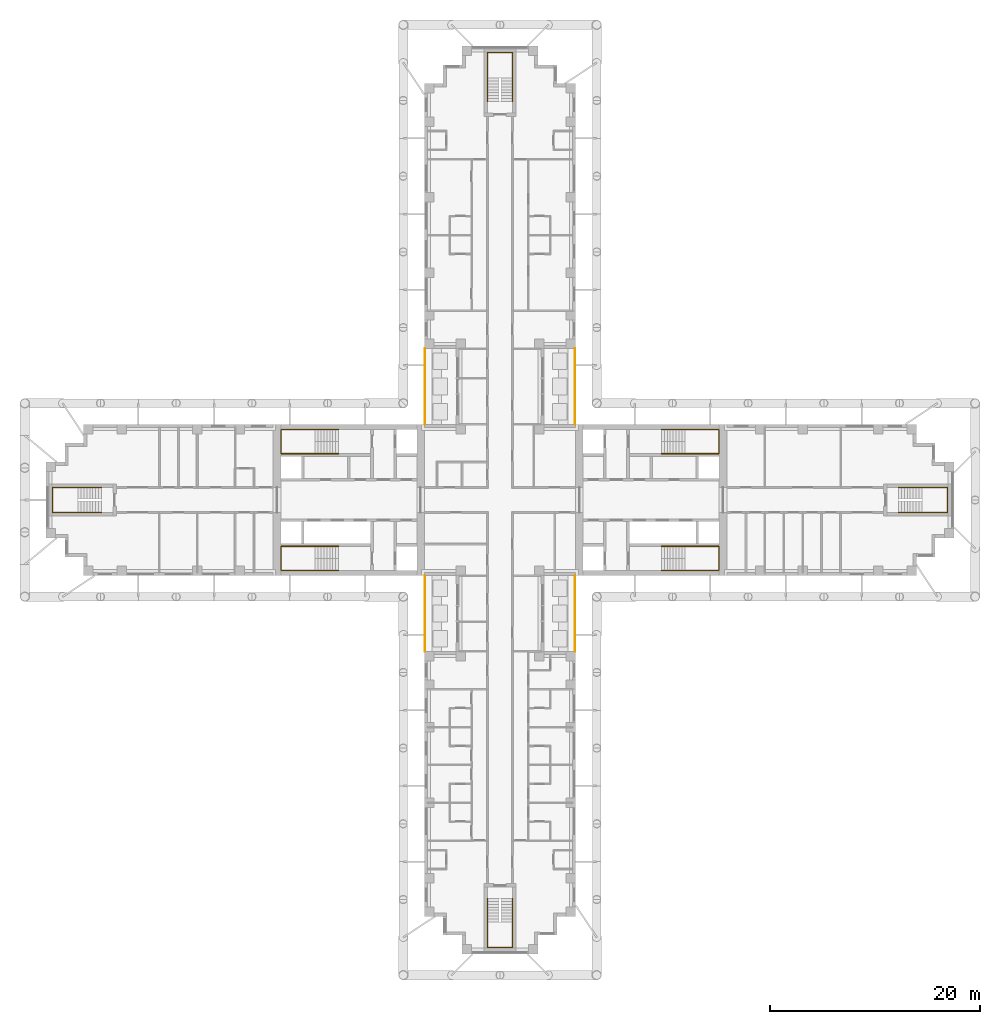
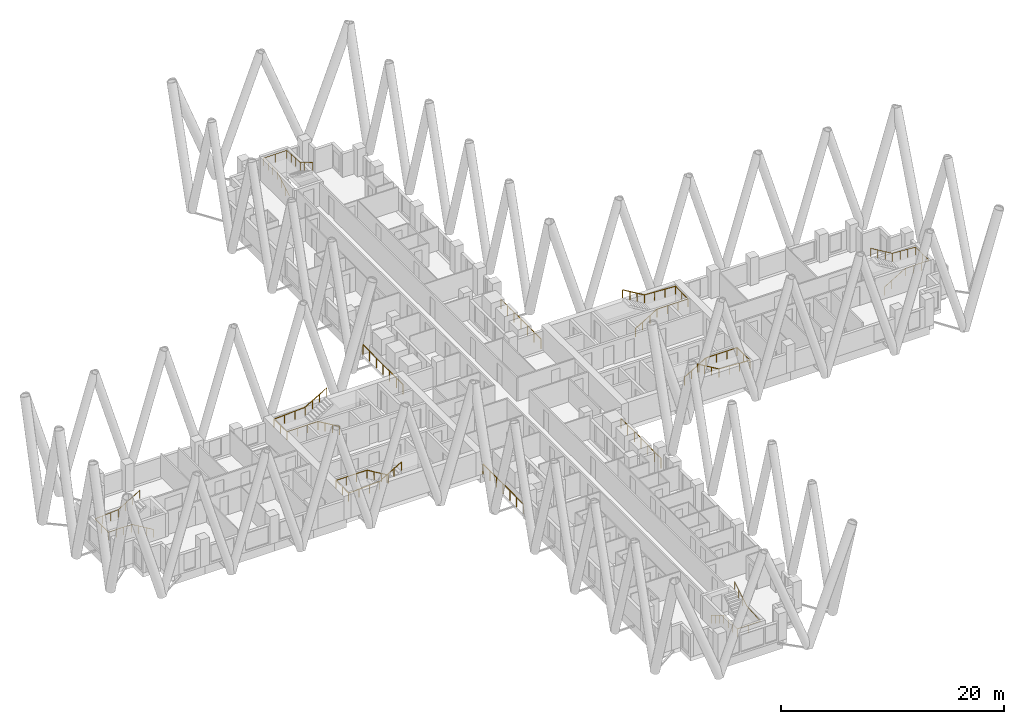
# One storey, part 15 of 16: 12 railings.
"""IFC4 building model written with IfcOpenShell, lengths in metres."""

from ifc_helpers import new_model, si_unit, direction, frame, origin, origin_2d, place, context, subcontext, project, spatial, circle, extrude, material, type_object, element, save


model = new_model("IFC4")

# Units and contexts
model_context = context("Model", 3, precision=1e-05, world=origin(), true_north=direction((0.0, 1.0)))
body_context = subcontext(model_context, "Body", "Model", "MODEL_VIEW")
ifc_project = project(units=[si_unit("LENGTHUNIT", "METRE"), si_unit("AREAUNIT", "SQUARE_METRE"), si_unit("VOLUMEUNIT", "CUBIC_METRE"), si_unit("PLANEANGLEUNIT", "RADIAN"), si_unit("MASSUNIT", "GRAM", prefix="KILO")], contexts=[model_context])

# Site, building, storey
site_placement = place(None, origin())
site = spatial("IfcSite", under=ifc_project, at=site_placement, CompositionType="ELEMENT")
building_placement = place(site_placement, origin())
building = spatial("IfcBuilding", under=site, at=building_placement, Name="Fustian Cross Tower", CompositionType="ELEMENT")
storey_placement = place(building_placement, frame((0.0, 0.0, 20.699951171875)))
storey = spatial("IfcBuildingStorey", under=building, at=storey_placement, Name="L05", CompositionType="ELEMENT", Elevation=20.699951171875)

# Railings
ifc_material_1 = material(Name="Stainless steel and glass", Category="steel")
railing_type_1 = type_object("IfcRailingType", Name="GR1 BALCONY GUARD 1100", PredefinedType="GUARDRAIL", material=ifc_material_1)
for number, where, name in (
    (1, (7.14990234375, 7.199951171875, 0.0), "Balcony guard"),
    (2, (-7.14990234375, 7.199951171875, 0.0), "Balcony guard"),
    (3, (7.14990234375, -14.39990234375, 0.0), "Balcony guard"),
    (4, (-7.14990234375, -14.39990234375, 0.0), "Balcony guard"),
):
    element("IfcRailing", number, at=place(storey_placement, frame(where)), inside=storey, type_object=railing_type_1, Name=name, PredefinedType="GUARDRAIL", context=body_context, shape_type="SweptSolid", body=[
        extrude(circle(Radius=0.02392578125, at=origin_2d()), frame((0.0, 0.0, 1.076171875), z_axis=(0.0, 1.0, 0.0), x_axis=(-1.0, 0.0, 0.0)), (0.0, 0.0, 1.0), 7.199951171875),
        extrude(circle(Radius=0.02099609375, at=origin_2d()), origin(), (0.0, 0.0, 1.0), 1.052001953125),
        extrude(circle(Radius=0.02099609375, at=origin_2d()), frame((0.0, 1.199951171875, 0.0)), (0.0, 0.0, 1.0), 1.052001953125),
        extrude(circle(Radius=0.02099609375, at=origin_2d()), frame((0.0, 2.39990234375, 0.0)), (0.0, 0.0, 1.0), 1.052001953125),
        extrude(circle(Radius=0.02099609375, at=origin_2d()), frame((0.0, 3.60009765625, 0.0)), (0.0, 0.0, 1.0), 1.052001953125),
        extrude(circle(Radius=0.02099609375, at=origin_2d()), frame((0.0, 4.800048828125, 0.0)), (0.0, 0.0, 1.0), 1.052001953125),
        extrude(circle(Radius=0.02099609375, at=origin_2d()), frame((0.0, 6.0, 0.0)), (0.0, 0.0, 1.0), 1.052001953125),
        extrude(circle(Radius=0.02099609375, at=origin_2d()), frame((0.0, 7.199951171875, 0.0)), (0.0, 0.0, 1.0), 1.052001953125),
    ])
ifc_material_2 = material(Name="Stainless steel", Category="steel")
railing_type_2 = type_object("IfcRailingType", Name="STAIR HANDRAIL", PredefinedType="HANDRAIL", material=ifc_material_2)
railing_1_placement = place(storey_placement, frame((15.35009765625, 4.39990234375, 0.166748046875)))
element("IfcRailing", 5, at=railing_1_placement, inside=storey, type_object=railing_type_2, Name="Stair ST1 handrail 1", PredefinedType="HANDRAIL", context=body_context, shape_type="SweptSolid", body=[
    extrude(circle(Radius=0.02490234375, at=origin_2d()), frame((0.0, 0.0, 0.875), z_axis=(0.859305625298, 0.0, 0.511462454469), x_axis=(0.0, 1.0, 0.0)), (0.0, 0.0, 1.0), 2.606689453125),
    extrude(circle(Radius=0.02490234375, at=origin_2d()), frame((2.239990234375, 0.0, 2.2080078125), z_axis=(1.0, 0.0, 0.0), x_axis=(0.0, 1.0, 0.0)), (0.0, 0.0, 1.0), 3.219970703125),
    extrude(circle(Radius=0.02490234375, at=origin_2d()), frame((5.4599609375, 0.0, 2.2080078125), z_axis=(0.0, 1.0, 0.0), x_axis=(-1.0, 0.0, 0.0)), (0.0, 0.0, 1.0), 2.300048828125),
    extrude(circle(Radius=0.02490234375, at=origin_2d()), frame((5.4599609375, 2.300048828125, 2.2080078125), z_axis=(-0.998661817807, 0.0, 0.051716280352), x_axis=(0.0, -1.0, 0.0)), (0.0, 0.0, 1.0), 3.224365234375),
    extrude(circle(Radius=0.02490234375, at=origin_2d()), frame((2.239990234375, 2.300048828125, 2.375), z_axis=(-0.859305625298, 0.0, 0.511462454469), x_axis=(0.0, -1.0, 0.0)), (0.0, 0.0, 1.0), 2.606689453125),
    extrude(circle(Radius=0.02001953125, at=origin_2d()), origin(), (0.0, 0.0, 1.0), 0.849853515625),
    extrude(circle(Radius=0.02001953125, at=origin_2d()), frame((0.74658203125, 0.0, 0.4443359375)), (0.0, 0.0, 1.0), 0.849853515625),
    extrude(circle(Radius=0.02001953125, at=origin_2d()), frame((1.493408203125, 0.0, 0.888916015625)), (0.0, 0.0, 1.0), 0.849853515625),
    extrude(circle(Radius=0.02001953125, at=origin_2d()), frame((2.239990234375, 0.0, 1.333251953125)), (0.0, 0.0, 1.0), 0.849853515625),
    extrude(circle(Radius=0.02001953125, at=origin_2d()), frame((3.313232421875, 0.0, 1.333251953125)), (0.0, 0.0, 1.0), 0.849853515625),
    extrude(circle(Radius=0.02001953125, at=origin_2d()), frame((4.38671875, 0.0, 1.333251953125)), (0.0, 0.0, 1.0), 0.849853515625),
    extrude(circle(Radius=0.02001953125, at=origin_2d()), frame((5.4599609375, 0.0, 1.333251953125)), (0.0, 0.0, 1.0), 0.849853515625),
    extrude(circle(Radius=0.02001953125, at=origin_2d()), frame((5.4599609375, 1.14990234375, 1.333251953125)), (0.0, 0.0, 1.0), 0.849853515625),
    extrude(circle(Radius=0.02001953125, at=origin_2d()), frame((5.4599609375, 2.300048828125, 1.333251953125)), (0.0, 0.0, 1.0), 0.849853515625),
    extrude(circle(Radius=0.02001953125, at=origin_2d()), frame((4.38671875, 2.300048828125, 1.388916015625)), (0.0, 0.0, 1.0), 0.849853515625),
    extrude(circle(Radius=0.02001953125, at=origin_2d()), frame((3.313232421875, 2.300048828125, 1.4443359375)), (0.0, 0.0, 1.0), 0.849853515625),
    extrude(circle(Radius=0.02001953125, at=origin_2d()), frame((2.239990234375, 2.300048828125, 1.5)), (0.0, 0.0, 1.0), 0.849853515625),
    extrude(circle(Radius=0.02001953125, at=origin_2d()), frame((1.493408203125, 2.300048828125, 1.9443359375)), (0.0, 0.0, 1.0), 0.849853515625),
    extrude(circle(Radius=0.02001953125, at=origin_2d()), frame((0.74658203125, 2.300048828125, 2.388916015625)), (0.0, 0.0, 1.0), 0.849853515625),
    extrude(circle(Radius=0.02001953125, at=origin_2d()), frame((0.0, 2.300048828125, 2.833251953125)), (0.0, 0.0, 1.0), 0.849853515625),
])
railing_2_placement = place(storey_placement, frame((15.35009765625, -4.39990234375, 0.166748046875)))
element("IfcRailing", 6, at=railing_2_placement, inside=storey, type_object=railing_type_2, Name="Stair ST2 handrail 1", PredefinedType="HANDRAIL", context=body_context, shape_type="SweptSolid", body=[
    extrude(circle(Radius=0.02490234375, at=origin_2d()), frame((0.0, 0.0, 0.875), z_axis=(0.859305625298, 0.0, 0.511462454469), x_axis=(0.0, 1.0, 0.0)), (0.0, 0.0, 1.0), 2.606689453125),
    extrude(circle(Radius=0.02490234375, at=origin_2d()), frame((2.239990234375, 0.0, 2.2080078125), z_axis=(1.0, 0.0, 0.0), x_axis=(0.0, 1.0, 0.0)), (0.0, 0.0, 1.0), 3.219970703125),
    extrude(circle(Radius=0.02490234375, at=origin_2d()), frame((5.4599609375, 0.0, 2.2080078125), z_axis=(0.0, -1.0, 0.0), x_axis=(1.0, 0.0, 0.0)), (0.0, 0.0, 1.0), 2.300048828125),
    extrude(circle(Radius=0.02490234375, at=origin_2d()), frame((5.4599609375, -2.300048828125, 2.2080078125), z_axis=(-0.998661817807, 0.0, 0.051716280352), x_axis=(0.0, -1.0, 0.0)), (0.0, 0.0, 1.0), 3.224365234375),
    extrude(circle(Radius=0.02490234375, at=origin_2d()), frame((2.239990234375, -2.300048828125, 2.375), z_axis=(-0.859305625298, 0.0, 0.511462454469), x_axis=(0.0, -1.0, 0.0)), (0.0, 0.0, 1.0), 2.606689453125),
    extrude(circle(Radius=0.02001953125, at=origin_2d()), origin(), (0.0, 0.0, 1.0), 0.849853515625),
    extrude(circle(Radius=0.02001953125, at=origin_2d()), frame((0.74658203125, 0.0, 0.4443359375)), (0.0, 0.0, 1.0), 0.849853515625),
    extrude(circle(Radius=0.02001953125, at=origin_2d()), frame((1.493408203125, 0.0, 0.888916015625)), (0.0, 0.0, 1.0), 0.849853515625),
    extrude(circle(Radius=0.02001953125, at=origin_2d()), frame((2.239990234375, 0.0, 1.333251953125)), (0.0, 0.0, 1.0), 0.849853515625),
    extrude(circle(Radius=0.02001953125, at=origin_2d()), frame((3.313232421875, 0.0, 1.333251953125)), (0.0, 0.0, 1.0), 0.849853515625),
    extrude(circle(Radius=0.02001953125, at=origin_2d()), frame((4.38671875, 0.0, 1.333251953125)), (0.0, 0.0, 1.0), 0.849853515625),
    extrude(circle(Radius=0.02001953125, at=origin_2d()), frame((5.4599609375, 0.0, 1.333251953125)), (0.0, 0.0, 1.0), 0.849853515625),
    extrude(circle(Radius=0.02001953125, at=origin_2d()), frame((5.4599609375, -1.14990234375, 1.333251953125)), (0.0, 0.0, 1.0), 0.849853515625),
    extrude(circle(Radius=0.02001953125, at=origin_2d()), frame((5.4599609375, -2.300048828125, 1.333251953125)), (0.0, 0.0, 1.0), 0.849853515625),
    extrude(circle(Radius=0.02001953125, at=origin_2d()), frame((4.38671875, -2.300048828125, 1.388916015625)), (0.0, 0.0, 1.0), 0.849853515625),
    extrude(circle(Radius=0.02001953125, at=origin_2d()), frame((3.313232421875, -2.300048828125, 1.4443359375)), (0.0, 0.0, 1.0), 0.849853515625),
    extrude(circle(Radius=0.02001953125, at=origin_2d()), frame((2.239990234375, -2.300048828125, 1.5)), (0.0, 0.0, 1.0), 0.849853515625),
    extrude(circle(Radius=0.02001953125, at=origin_2d()), frame((1.493408203125, -2.300048828125, 1.9443359375)), (0.0, 0.0, 1.0), 0.849853515625),
    extrude(circle(Radius=0.02001953125, at=origin_2d()), frame((0.74658203125, -2.300048828125, 2.388916015625)), (0.0, 0.0, 1.0), 0.849853515625),
    extrude(circle(Radius=0.02001953125, at=origin_2d()), frame((0.0, -2.300048828125, 2.833251953125)), (0.0, 0.0, 1.0), 0.849853515625),
])
railing_3_placement = place(storey_placement, frame((-15.35009765625, 4.39990234375, 0.166748046875)))
element("IfcRailing", 7, at=railing_3_placement, inside=storey, type_object=railing_type_2, Name="Stair ST3 handrail 1", PredefinedType="HANDRAIL", context=body_context, shape_type="SweptSolid", body=[
    extrude(circle(Radius=0.02490234375, at=origin_2d()), frame((0.0, 0.0, 0.875), z_axis=(-0.859305625298, 0.0, 0.511462454469), x_axis=(0.0, -1.0, 0.0)), (0.0, 0.0, 1.0), 2.606689453125),
    extrude(circle(Radius=0.02490234375, at=origin_2d()), frame((-2.239990234375, 0.0, 2.2080078125), z_axis=(-1.0, 0.0, 0.0), x_axis=(0.0, -1.0, 0.0)), (0.0, 0.0, 1.0), 3.219970703125),
    extrude(circle(Radius=0.02490234375, at=origin_2d()), frame((-5.4599609375, 0.0, 2.2080078125), z_axis=(0.0, 1.0, 0.0), x_axis=(-1.0, 0.0, 0.0)), (0.0, 0.0, 1.0), 2.300048828125),
    extrude(circle(Radius=0.02490234375, at=origin_2d()), frame((-5.4599609375, 2.300048828125, 2.2080078125), z_axis=(0.998661817807, 0.0, 0.051716280352), x_axis=(0.0, 1.0, 0.0)), (0.0, 0.0, 1.0), 3.224365234375),
    extrude(circle(Radius=0.02490234375, at=origin_2d()), frame((-2.239990234375, 2.300048828125, 2.375), z_axis=(0.859305625298, 0.0, 0.511462454469), x_axis=(0.0, 1.0, 0.0)), (0.0, 0.0, 1.0), 2.606689453125),
    extrude(circle(Radius=0.02001953125, at=origin_2d()), origin(), (0.0, 0.0, 1.0), 0.849853515625),
    extrude(circle(Radius=0.02001953125, at=origin_2d()), frame((-0.74658203125, 0.0, 0.4443359375)), (0.0, 0.0, 1.0), 0.849853515625),
    extrude(circle(Radius=0.02001953125, at=origin_2d()), frame((-1.493408203125, 0.0, 0.888916015625)), (0.0, 0.0, 1.0), 0.849853515625),
    extrude(circle(Radius=0.02001953125, at=origin_2d()), frame((-2.239990234375, 0.0, 1.333251953125)), (0.0, 0.0, 1.0), 0.849853515625),
    extrude(circle(Radius=0.02001953125, at=origin_2d()), frame((-3.313232421875, 0.0, 1.333251953125)), (0.0, 0.0, 1.0), 0.849853515625),
    extrude(circle(Radius=0.02001953125, at=origin_2d()), frame((-4.38671875, 0.0, 1.333251953125)), (0.0, 0.0, 1.0), 0.849853515625),
    extrude(circle(Radius=0.02001953125, at=origin_2d()), frame((-5.4599609375, 0.0, 1.333251953125)), (0.0, 0.0, 1.0), 0.849853515625),
    extrude(circle(Radius=0.02001953125, at=origin_2d()), frame((-5.4599609375, 1.14990234375, 1.333251953125)), (0.0, 0.0, 1.0), 0.849853515625),
    extrude(circle(Radius=0.02001953125, at=origin_2d()), frame((-5.4599609375, 2.300048828125, 1.333251953125)), (0.0, 0.0, 1.0), 0.849853515625),
    extrude(circle(Radius=0.02001953125, at=origin_2d()), frame((-4.38671875, 2.300048828125, 1.388916015625)), (0.0, 0.0, 1.0), 0.849853515625),
    extrude(circle(Radius=0.02001953125, at=origin_2d()), frame((-3.313232421875, 2.300048828125, 1.4443359375)), (0.0, 0.0, 1.0), 0.849853515625),
    extrude(circle(Radius=0.02001953125, at=origin_2d()), frame((-2.239990234375, 2.300048828125, 1.5)), (0.0, 0.0, 1.0), 0.849853515625),
    extrude(circle(Radius=0.02001953125, at=origin_2d()), frame((-1.493408203125, 2.300048828125, 1.9443359375)), (0.0, 0.0, 1.0), 0.849853515625),
    extrude(circle(Radius=0.02001953125, at=origin_2d()), frame((-0.74658203125, 2.300048828125, 2.388916015625)), (0.0, 0.0, 1.0), 0.849853515625),
    extrude(circle(Radius=0.02001953125, at=origin_2d()), frame((0.0, 2.300048828125, 2.833251953125)), (0.0, 0.0, 1.0), 0.849853515625),
])
railing_4_placement = place(storey_placement, frame((-15.35009765625, -4.39990234375, 0.166748046875)))
element("IfcRailing", 8, at=railing_4_placement, inside=storey, type_object=railing_type_2, Name="Stair ST4 handrail 1", PredefinedType="HANDRAIL", context=body_context, shape_type="SweptSolid", body=[
    extrude(circle(Radius=0.02490234375, at=origin_2d()), frame((0.0, 0.0, 0.875), z_axis=(-0.859305625298, 0.0, 0.511462454469), x_axis=(0.0, -1.0, 0.0)), (0.0, 0.0, 1.0), 2.606689453125),
    extrude(circle(Radius=0.02490234375, at=origin_2d()), frame((-2.239990234375, 0.0, 2.2080078125), z_axis=(-1.0, 0.0, 0.0), x_axis=(0.0, -1.0, 0.0)), (0.0, 0.0, 1.0), 3.219970703125),
    extrude(circle(Radius=0.02490234375, at=origin_2d()), frame((-5.4599609375, 0.0, 2.2080078125), z_axis=(0.0, -1.0, 0.0), x_axis=(1.0, 0.0, 0.0)), (0.0, 0.0, 1.0), 2.300048828125),
    extrude(circle(Radius=0.02490234375, at=origin_2d()), frame((-5.4599609375, -2.300048828125, 2.2080078125), z_axis=(0.998661817807, 0.0, 0.051716280352), x_axis=(0.0, 1.0, 0.0)), (0.0, 0.0, 1.0), 3.224365234375),
    extrude(circle(Radius=0.02490234375, at=origin_2d()), frame((-2.239990234375, -2.300048828125, 2.375), z_axis=(0.859305625298, 0.0, 0.511462454469), x_axis=(0.0, 1.0, 0.0)), (0.0, 0.0, 1.0), 2.606689453125),
    extrude(circle(Radius=0.02001953125, at=origin_2d()), origin(), (0.0, 0.0, 1.0), 0.849853515625),
    extrude(circle(Radius=0.02001953125, at=origin_2d()), frame((-0.74658203125, 0.0, 0.4443359375)), (0.0, 0.0, 1.0), 0.849853515625),
    extrude(circle(Radius=0.02001953125, at=origin_2d()), frame((-1.493408203125, 0.0, 0.888916015625)), (0.0, 0.0, 1.0), 0.849853515625),
    extrude(circle(Radius=0.02001953125, at=origin_2d()), frame((-2.239990234375, 0.0, 1.333251953125)), (0.0, 0.0, 1.0), 0.849853515625),
    extrude(circle(Radius=0.02001953125, at=origin_2d()), frame((-3.313232421875, 0.0, 1.333251953125)), (0.0, 0.0, 1.0), 0.849853515625),
    extrude(circle(Radius=0.02001953125, at=origin_2d()), frame((-4.38671875, 0.0, 1.333251953125)), (0.0, 0.0, 1.0), 0.849853515625),
    extrude(circle(Radius=0.02001953125, at=origin_2d()), frame((-5.4599609375, 0.0, 1.333251953125)), (0.0, 0.0, 1.0), 0.849853515625),
    extrude(circle(Radius=0.02001953125, at=origin_2d()), frame((-5.4599609375, -1.14990234375, 1.333251953125)), (0.0, 0.0, 1.0), 0.849853515625),
    extrude(circle(Radius=0.02001953125, at=origin_2d()), frame((-5.4599609375, -2.300048828125, 1.333251953125)), (0.0, 0.0, 1.0), 0.849853515625),
    extrude(circle(Radius=0.02001953125, at=origin_2d()), frame((-4.38671875, -2.300048828125, 1.388916015625)), (0.0, 0.0, 1.0), 0.849853515625),
    extrude(circle(Radius=0.02001953125, at=origin_2d()), frame((-3.313232421875, -2.300048828125, 1.4443359375)), (0.0, 0.0, 1.0), 0.849853515625),
    extrude(circle(Radius=0.02001953125, at=origin_2d()), frame((-2.239990234375, -2.300048828125, 1.5)), (0.0, 0.0, 1.0), 0.849853515625),
    extrude(circle(Radius=0.02001953125, at=origin_2d()), frame((-1.493408203125, -2.300048828125, 1.9443359375)), (0.0, 0.0, 1.0), 0.849853515625),
    extrude(circle(Radius=0.02001953125, at=origin_2d()), frame((-0.74658203125, -2.300048828125, 2.388916015625)), (0.0, 0.0, 1.0), 0.849853515625),
    extrude(circle(Radius=0.02001953125, at=origin_2d()), frame((0.0, -2.300048828125, 2.833251953125)), (0.0, 0.0, 1.0), 0.849853515625),
])
railing_5_placement = place(storey_placement, frame((-1.199951171875, 37.89990234375, 0.166748046875)))
element("IfcRailing", 9, at=railing_5_placement, inside=storey, type_object=railing_type_2, Name="Stair ST5 handrail 1", PredefinedType="HANDRAIL", context=body_context, shape_type="SweptSolid", body=[
    extrude(circle(Radius=0.02490234375, at=origin_2d()), frame((0.0, 0.0, 0.875), z_axis=(0.0, 0.859305625298, 0.511462454469), x_axis=(-1.0, 0.0, 0.0)), (0.0, 0.0, 1.0), 2.606689453125),
    extrude(circle(Radius=0.02490234375, at=origin_2d()), frame((0.0, 2.239990234375, 2.2080078125), z_axis=(0.0, 1.0, 0.0), x_axis=(-1.0, 0.0, 0.0)), (0.0, 0.0, 1.0), 2.420166015625),
    extrude(circle(Radius=0.02490234375, at=origin_2d()), frame((0.0, 4.66015625, 2.2080078125), z_axis=(1.0, 0.0, 0.0), x_axis=(0.0, 1.0, 0.0)), (0.0, 0.0, 1.0), 2.39990234375),
    extrude(circle(Radius=0.02490234375, at=origin_2d()), frame((2.39990234375, 4.66015625, 2.2080078125), z_axis=(0.0, -0.997634852044, 0.068736467663), x_axis=(1.0, 0.0, 0.0)), (0.0, 0.0, 1.0), 2.426025390625),
    extrude(circle(Radius=0.02490234375, at=origin_2d()), frame((2.39990234375, 2.239990234375, 2.375), z_axis=(0.0, -0.859305625298, 0.511462454469), x_axis=(1.0, 0.0, 0.0)), (0.0, 0.0, 1.0), 2.606689453125),
    extrude(circle(Radius=0.02001953125, at=origin_2d()), origin(), (0.0, 0.0, 1.0), 0.849853515625),
    extrude(circle(Radius=0.02001953125, at=origin_2d()), frame((0.0, 0.74658203125, 0.4443359375)), (0.0, 0.0, 1.0), 0.849853515625),
    extrude(circle(Radius=0.02001953125, at=origin_2d()), frame((0.0, 1.493408203125, 0.888916015625)), (0.0, 0.0, 1.0), 0.849853515625),
    extrude(circle(Radius=0.02001953125, at=origin_2d()), frame((0.0, 2.239990234375, 1.333251953125)), (0.0, 0.0, 1.0), 0.849853515625),
    extrude(circle(Radius=0.02001953125, at=origin_2d()), frame((0.0, 3.046630859375, 1.333251953125)), (0.0, 0.0, 1.0), 0.849853515625),
    extrude(circle(Radius=0.02001953125, at=origin_2d()), frame((0.0, 3.853515625, 1.333251953125)), (0.0, 0.0, 1.0), 0.849853515625),
    extrude(circle(Radius=0.02001953125, at=origin_2d()), frame((0.0, 4.66015625, 1.333251953125)), (0.0, 0.0, 1.0), 0.849853515625),
    extrude(circle(Radius=0.02001953125, at=origin_2d()), frame((1.199951171875, 4.66015625, 1.333251953125)), (0.0, 0.0, 1.0), 0.849853515625),
    extrude(circle(Radius=0.02001953125, at=origin_2d()), frame((2.39990234375, 4.66015625, 1.333251953125)), (0.0, 0.0, 1.0), 0.849853515625),
    extrude(circle(Radius=0.02001953125, at=origin_2d()), frame((2.39990234375, 3.853515625, 1.388916015625)), (0.0, 0.0, 1.0), 0.849853515625),
    extrude(circle(Radius=0.02001953125, at=origin_2d()), frame((2.39990234375, 3.046630859375, 1.4443359375)), (0.0, 0.0, 1.0), 0.849853515625),
    extrude(circle(Radius=0.02001953125, at=origin_2d()), frame((2.39990234375, 2.239990234375, 1.5)), (0.0, 0.0, 1.0), 0.849853515625),
    extrude(circle(Radius=0.02001953125, at=origin_2d()), frame((2.39990234375, 1.493408203125, 1.9443359375)), (0.0, 0.0, 1.0), 0.849853515625),
    extrude(circle(Radius=0.02001953125, at=origin_2d()), frame((2.39990234375, 0.74658203125, 2.388916015625)), (0.0, 0.0, 1.0), 0.849853515625),
    extrude(circle(Radius=0.02001953125, at=origin_2d()), frame((2.39990234375, 0.0, 2.833251953125)), (0.0, 0.0, 1.0), 0.849853515625),
])
railing_6_placement = place(storey_placement, frame((-1.199951171875, -37.89990234375, 0.166748046875)))
element("IfcRailing", 10, at=railing_6_placement, inside=storey, type_object=railing_type_2, Name="Stair ST6 handrail 1", PredefinedType="HANDRAIL", context=body_context, shape_type="SweptSolid", body=[
    extrude(circle(Radius=0.02490234375, at=origin_2d()), frame((0.0, 0.0, 0.875), z_axis=(0.0, -0.859305625298, 0.511462454469), x_axis=(1.0, 0.0, 0.0)), (0.0, 0.0, 1.0), 2.606689453125),
    extrude(circle(Radius=0.02490234375, at=origin_2d()), frame((0.0, -2.239990234375, 2.2080078125), z_axis=(0.0, -1.0, 0.0), x_axis=(1.0, 0.0, 0.0)), (0.0, 0.0, 1.0), 2.420166015625),
    extrude(circle(Radius=0.02490234375, at=origin_2d()), frame((0.0, -4.66015625, 2.2080078125), z_axis=(1.0, 0.0, 0.0), x_axis=(0.0, 1.0, 0.0)), (0.0, 0.0, 1.0), 2.39990234375),
    extrude(circle(Radius=0.02490234375, at=origin_2d()), frame((2.39990234375, -4.66015625, 2.2080078125), z_axis=(0.0, 0.997634852044, 0.068736467663), x_axis=(-1.0, 0.0, 0.0)), (0.0, 0.0, 1.0), 2.426025390625),
    extrude(circle(Radius=0.02490234375, at=origin_2d()), frame((2.39990234375, -2.239990234375, 2.375), z_axis=(0.0, 0.859305625298, 0.511462454469), x_axis=(-1.0, 0.0, 0.0)), (0.0, 0.0, 1.0), 2.606689453125),
    extrude(circle(Radius=0.02001953125, at=origin_2d()), origin(), (0.0, 0.0, 1.0), 0.849853515625),
    extrude(circle(Radius=0.02001953125, at=origin_2d()), frame((0.0, -0.74658203125, 0.4443359375)), (0.0, 0.0, 1.0), 0.849853515625),
    extrude(circle(Radius=0.02001953125, at=origin_2d()), frame((0.0, -1.493408203125, 0.888916015625)), (0.0, 0.0, 1.0), 0.849853515625),
    extrude(circle(Radius=0.02001953125, at=origin_2d()), frame((0.0, -2.239990234375, 1.333251953125)), (0.0, 0.0, 1.0), 0.849853515625),
    extrude(circle(Radius=0.02001953125, at=origin_2d()), frame((0.0, -3.046630859375, 1.333251953125)), (0.0, 0.0, 1.0), 0.849853515625),
    extrude(circle(Radius=0.02001953125, at=origin_2d()), frame((0.0, -3.853515625, 1.333251953125)), (0.0, 0.0, 1.0), 0.849853515625),
    extrude(circle(Radius=0.02001953125, at=origin_2d()), frame((0.0, -4.66015625, 1.333251953125)), (0.0, 0.0, 1.0), 0.849853515625),
    extrude(circle(Radius=0.02001953125, at=origin_2d()), frame((1.199951171875, -4.66015625, 1.333251953125)), (0.0, 0.0, 1.0), 0.849853515625),
    extrude(circle(Radius=0.02001953125, at=origin_2d()), frame((2.39990234375, -4.66015625, 1.333251953125)), (0.0, 0.0, 1.0), 0.849853515625),
    extrude(circle(Radius=0.02001953125, at=origin_2d()), frame((2.39990234375, -3.853515625, 1.388916015625)), (0.0, 0.0, 1.0), 0.849853515625),
    extrude(circle(Radius=0.02001953125, at=origin_2d()), frame((2.39990234375, -3.046630859375, 1.4443359375)), (0.0, 0.0, 1.0), 0.849853515625),
    extrude(circle(Radius=0.02001953125, at=origin_2d()), frame((2.39990234375, -2.239990234375, 1.5)), (0.0, 0.0, 1.0), 0.849853515625),
    extrude(circle(Radius=0.02001953125, at=origin_2d()), frame((2.39990234375, -1.493408203125, 1.9443359375)), (0.0, 0.0, 1.0), 0.849853515625),
    extrude(circle(Radius=0.02001953125, at=origin_2d()), frame((2.39990234375, -0.74658203125, 2.388916015625)), (0.0, 0.0, 1.0), 0.849853515625),
    extrude(circle(Radius=0.02001953125, at=origin_2d()), frame((2.39990234375, 0.0, 2.833251953125)), (0.0, 0.0, 1.0), 0.849853515625),
])
railing_7_placement = place(storey_placement, frame((37.89990234375, -1.199951171875, 0.166748046875)))
element("IfcRailing", 11, at=railing_7_placement, inside=storey, type_object=railing_type_2, Name="Stair ST8 handrail 1", PredefinedType="HANDRAIL", context=body_context, shape_type="SweptSolid", body=[
    extrude(circle(Radius=0.02490234375, at=origin_2d()), frame((0.0, 0.0, 0.875), z_axis=(0.859305625298, 0.0, 0.511462454469), x_axis=(0.0, 1.0, 0.0)), (0.0, 0.0, 1.0), 2.606689453125),
    extrude(circle(Radius=0.02490234375, at=origin_2d()), frame((2.239990234375, 0.0, 2.2080078125), z_axis=(1.0, 0.0, 0.0), x_axis=(0.0, 1.0, 0.0)), (0.0, 0.0, 1.0), 2.420166015625),
    extrude(circle(Radius=0.02490234375, at=origin_2d()), frame((4.66015625, 0.0, 2.2080078125), z_axis=(0.0, 1.0, 0.0), x_axis=(-1.0, 0.0, 0.0)), (0.0, 0.0, 1.0), 2.39990234375),
    extrude(circle(Radius=0.02490234375, at=origin_2d()), frame((4.66015625, 2.39990234375, 2.2080078125), z_axis=(-0.997634852044, 0.0, 0.068736467663), x_axis=(0.0, -1.0, 0.0)), (0.0, 0.0, 1.0), 2.426025390625),
    extrude(circle(Radius=0.02490234375, at=origin_2d()), frame((2.239990234375, 2.39990234375, 2.375), z_axis=(-0.859305625298, 0.0, 0.511462454469), x_axis=(0.0, -1.0, 0.0)), (0.0, 0.0, 1.0), 2.606689453125),
    extrude(circle(Radius=0.02001953125, at=origin_2d()), origin(), (0.0, 0.0, 1.0), 0.849853515625),
    extrude(circle(Radius=0.02001953125, at=origin_2d()), frame((0.74658203125, 0.0, 0.4443359375)), (0.0, 0.0, 1.0), 0.849853515625),
    extrude(circle(Radius=0.02001953125, at=origin_2d()), frame((1.493408203125, 0.0, 0.888916015625)), (0.0, 0.0, 1.0), 0.849853515625),
    extrude(circle(Radius=0.02001953125, at=origin_2d()), frame((2.239990234375, 0.0, 1.333251953125)), (0.0, 0.0, 1.0), 0.849853515625),
    extrude(circle(Radius=0.02001953125, at=origin_2d()), frame((3.046630859375, 0.0, 1.333251953125)), (0.0, 0.0, 1.0), 0.849853515625),
    extrude(circle(Radius=0.02001953125, at=origin_2d()), frame((3.853515625, 0.0, 1.333251953125)), (0.0, 0.0, 1.0), 0.849853515625),
    extrude(circle(Radius=0.02001953125, at=origin_2d()), frame((4.66015625, 0.0, 1.333251953125)), (0.0, 0.0, 1.0), 0.849853515625),
    extrude(circle(Radius=0.02001953125, at=origin_2d()), frame((4.66015625, 1.199951171875, 1.333251953125)), (0.0, 0.0, 1.0), 0.849853515625),
    extrude(circle(Radius=0.02001953125, at=origin_2d()), frame((4.66015625, 2.39990234375, 1.333251953125)), (0.0, 0.0, 1.0), 0.849853515625),
    extrude(circle(Radius=0.02001953125, at=origin_2d()), frame((3.853515625, 2.39990234375, 1.388916015625)), (0.0, 0.0, 1.0), 0.849853515625),
    extrude(circle(Radius=0.02001953125, at=origin_2d()), frame((3.046630859375, 2.39990234375, 1.4443359375)), (0.0, 0.0, 1.0), 0.849853515625),
    extrude(circle(Radius=0.02001953125, at=origin_2d()), frame((2.239990234375, 2.39990234375, 1.5)), (0.0, 0.0, 1.0), 0.849853515625),
    extrude(circle(Radius=0.02001953125, at=origin_2d()), frame((1.493408203125, 2.39990234375, 1.9443359375)), (0.0, 0.0, 1.0), 0.849853515625),
    extrude(circle(Radius=0.02001953125, at=origin_2d()), frame((0.74658203125, 2.39990234375, 2.388916015625)), (0.0, 0.0, 1.0), 0.849853515625),
    extrude(circle(Radius=0.02001953125, at=origin_2d()), frame((0.0, 2.39990234375, 2.833251953125)), (0.0, 0.0, 1.0), 0.849853515625),
])
railing_8_placement = place(storey_placement, frame((-37.89990234375, -1.199951171875, 0.166748046875)))
element("IfcRailing", 12, at=railing_8_placement, inside=storey, type_object=railing_type_2, Name="Stair ST9 handrail 1", PredefinedType="HANDRAIL", context=body_context, shape_type="SweptSolid", body=[
    extrude(circle(Radius=0.02490234375, at=origin_2d()), frame((0.0, 0.0, 0.875), z_axis=(-0.859305625298, 0.0, 0.511462454469), x_axis=(0.0, -1.0, 0.0)), (0.0, 0.0, 1.0), 2.606689453125),
    extrude(circle(Radius=0.02490234375, at=origin_2d()), frame((-2.239990234375, 0.0, 2.2080078125), z_axis=(-1.0, 0.0, 0.0), x_axis=(0.0, -1.0, 0.0)), (0.0, 0.0, 1.0), 2.420166015625),
    extrude(circle(Radius=0.02490234375, at=origin_2d()), frame((-4.66015625, 0.0, 2.2080078125), z_axis=(0.0, 1.0, 0.0), x_axis=(-1.0, 0.0, 0.0)), (0.0, 0.0, 1.0), 2.39990234375),
    extrude(circle(Radius=0.02490234375, at=origin_2d()), frame((-4.66015625, 2.39990234375, 2.2080078125), z_axis=(0.997634852044, 0.0, 0.068736467663), x_axis=(0.0, 1.0, 0.0)), (0.0, 0.0, 1.0), 2.426025390625),
    extrude(circle(Radius=0.02490234375, at=origin_2d()), frame((-2.239990234375, 2.39990234375, 2.375), z_axis=(0.859305625298, 0.0, 0.511462454469), x_axis=(0.0, 1.0, 0.0)), (0.0, 0.0, 1.0), 2.606689453125),
    extrude(circle(Radius=0.02001953125, at=origin_2d()), origin(), (0.0, 0.0, 1.0), 0.849853515625),
    extrude(circle(Radius=0.02001953125, at=origin_2d()), frame((-0.74658203125, 0.0, 0.4443359375)), (0.0, 0.0, 1.0), 0.849853515625),
    extrude(circle(Radius=0.02001953125, at=origin_2d()), frame((-1.493408203125, 0.0, 0.888916015625)), (0.0, 0.0, 1.0), 0.849853515625),
    extrude(circle(Radius=0.02001953125, at=origin_2d()), frame((-2.239990234375, 0.0, 1.333251953125)), (0.0, 0.0, 1.0), 0.849853515625),
    extrude(circle(Radius=0.02001953125, at=origin_2d()), frame((-3.046630859375, 0.0, 1.333251953125)), (0.0, 0.0, 1.0), 0.849853515625),
    extrude(circle(Radius=0.02001953125, at=origin_2d()), frame((-3.853515625, 0.0, 1.333251953125)), (0.0, 0.0, 1.0), 0.849853515625),
    extrude(circle(Radius=0.02001953125, at=origin_2d()), frame((-4.66015625, 0.0, 1.333251953125)), (0.0, 0.0, 1.0), 0.849853515625),
    extrude(circle(Radius=0.02001953125, at=origin_2d()), frame((-4.66015625, 1.199951171875, 1.333251953125)), (0.0, 0.0, 1.0), 0.849853515625),
    extrude(circle(Radius=0.02001953125, at=origin_2d()), frame((-4.66015625, 2.39990234375, 1.333251953125)), (0.0, 0.0, 1.0), 0.849853515625),
    extrude(circle(Radius=0.02001953125, at=origin_2d()), frame((-3.853515625, 2.39990234375, 1.388916015625)), (0.0, 0.0, 1.0), 0.849853515625),
    extrude(circle(Radius=0.02001953125, at=origin_2d()), frame((-3.046630859375, 2.39990234375, 1.4443359375)), (0.0, 0.0, 1.0), 0.849853515625),
    extrude(circle(Radius=0.02001953125, at=origin_2d()), frame((-2.239990234375, 2.39990234375, 1.5)), (0.0, 0.0, 1.0), 0.849853515625),
    extrude(circle(Radius=0.02001953125, at=origin_2d()), frame((-1.493408203125, 2.39990234375, 1.9443359375)), (0.0, 0.0, 1.0), 0.849853515625),
    extrude(circle(Radius=0.02001953125, at=origin_2d()), frame((-0.74658203125, 2.39990234375, 2.388916015625)), (0.0, 0.0, 1.0), 0.849853515625),
    extrude(circle(Radius=0.02001953125, at=origin_2d()), frame((0.0, 2.39990234375, 2.833251953125)), (0.0, 0.0, 1.0), 0.849853515625),
])

save(model, "model.ifc")
